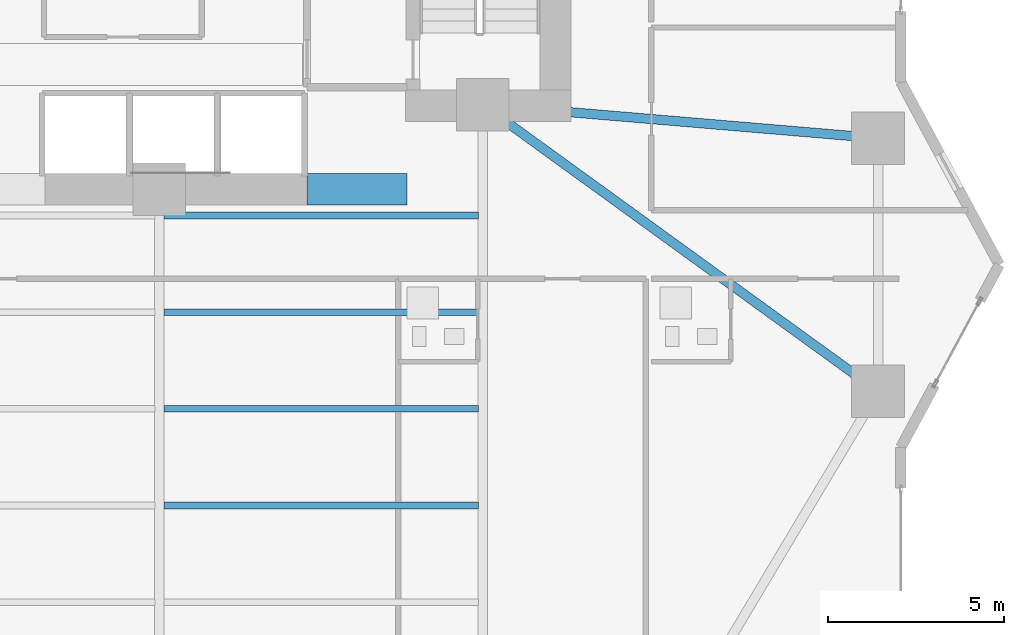
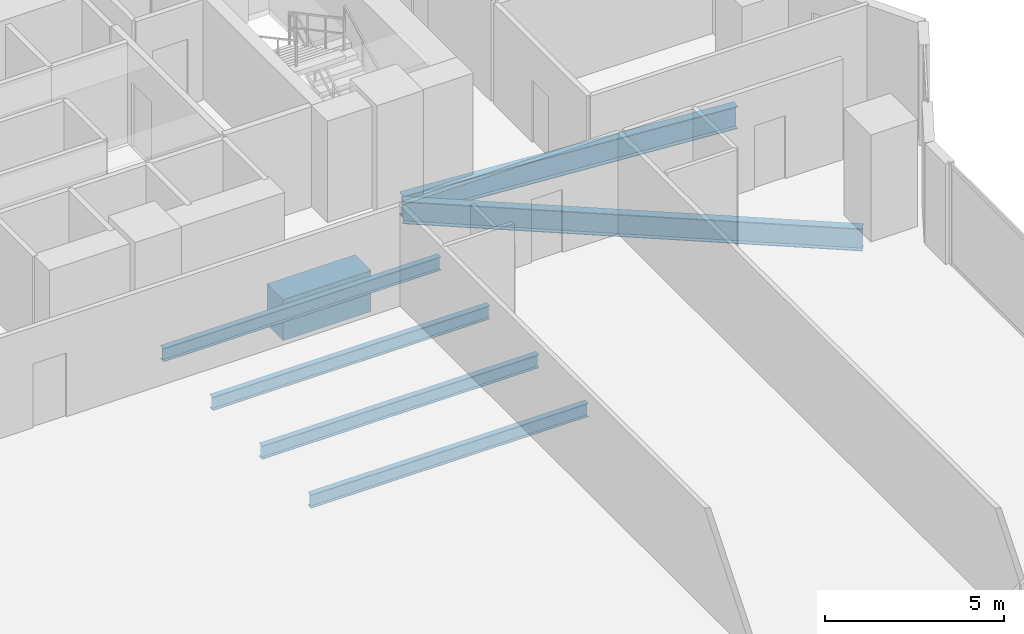
# One storey, part 11 of 28: 7 beams.
"""IFC4 building model written with IfcOpenShell, lengths in metres."""

from ifc_helpers import new_model, si_unit, direction, frame, origin, origin_2d, place, context, subcontext, project, spatial, rectangle, i_section, extrude, material, material_profile, profile_set, type_object, element, save


model = new_model("IFC4")

# Units and contexts
model_context = context("Model", 3, precision=1e-05, world=origin(), true_north=direction((0.0, 1.0)))
body_context = subcontext(model_context, "Body", "Model", "MODEL_VIEW")
ifc_project = project(units=[si_unit("LENGTHUNIT", "METRE"), si_unit("AREAUNIT", "SQUARE_METRE"), si_unit("VOLUMEUNIT", "CUBIC_METRE"), si_unit("PLANEANGLEUNIT", "RADIAN"), si_unit("MASSUNIT", "GRAM", prefix="KILO")], contexts=[model_context])

# Site, building, storey
site_placement = place(None, origin())
site = spatial("IfcSite", under=ifc_project, at=site_placement, CompositionType="ELEMENT")
building_placement = place(site_placement, origin())
building = spatial("IfcBuilding", under=site, at=building_placement, Name="Zuhayl Quay Hotel", CompositionType="ELEMENT")
storey_placement = place(building_placement, frame((0.0, 0.0, 78.699951171875)))
storey = spatial("IfcBuildingStorey", under=building, at=storey_placement, Name="L19", CompositionType="ELEMENT", Elevation=78.699951171875)

# Beams
ifc_material_1 = material(Name="Steel ASTM A992 Grade 50", Category="steel")
ifc_material_profile_1 = material_profile(ifc_material_1, i_section(OverallWidth=0.26708984375, OverallDepth=0.761962890625, WebThickness=0.014404296875, FlangeThickness=0.021484375, at=origin_2d()), Name="W30X116")
ifc_profile_set_1 = profile_set([ifc_material_profile_1], Name="Steel ASTM A992 Grade 50")
beam_type_1 = type_object("IfcBeamType", Name="BM_B1_W30X116", PredefinedType="BEAM", material=ifc_profile_set_1)
beam_1_placement = place(storey_placement, frame((14.164306640625, 4.285888671875, -0.600830078125), z_axis=(0.809830244688, -0.586664277751, 0.0), x_axis=(0.586664277751, 0.809830244688, 0.0)))
element("IfcBeam", 1, at=beam_1_placement, inside=storey, type_object=beam_type_1, Name="L19 Floor Beam FG_E_L19_1", PredefinedType="BEAM", context=body_context, shape_type="SweptSolid", body=[
    extrude(i_section(OverallWidth=0.26708984375, OverallDepth=0.761962890625, WebThickness=0.014404296875, FlangeThickness=0.021484375, at=origin_2d()), origin(), (0.0, 0.0, 1.0), 12.94189453125),
])
beam_2_placement = place(storey_placement, frame((14.248291015625, 4.51220703125, -0.600830078125), z_axis=(0.996453145398, -0.084149444594, 0.0), x_axis=(0.084149444594, 0.996453145398, 0.0)))
element("IfcBeam", 2, at=beam_2_placement, inside=storey, type_object=beam_type_1, Name="L19 Floor Beam FG_E_L19_2", PredefinedType="BEAM", context=body_context, shape_type="SweptSolid", body=[
    extrude(i_section(OverallWidth=0.26708984375, OverallDepth=0.761962890625, WebThickness=0.014404296875, FlangeThickness=0.021484375, at=origin_2d()), origin(), (0.0, 0.0, 1.0), 10.340087890625),
])
ifc_material_2 = material(Name="Concrete C60/75", Category="concrete")
ifc_material_profile_2 = material_profile(ifc_material_2, rectangle(XDim=0.89990234375, YDim=1.39990234375, at=origin_2d()), Name="RC900X1400")
ifc_profile_set_2 = profile_set([ifc_material_profile_2], Name="Concrete C60/75")
beam_type_2 = type_object("IfcBeamType", Name="BM_CB1_RC900", PredefinedType="T_BEAM", material=ifc_profile_set_2)
beam_3_placement = place(storey_placement, frame((8.800048828125, 2.14990234375, -0.919921875), z_axis=(1.0, 0.0, 0.0), x_axis=(0.0, 1.0, 0.0)))
element("IfcBeam", 3, at=beam_3_placement, inside=storey, type_object=beam_type_2, Name="L19 Core Coupling Beam SE", PredefinedType="T_BEAM", context=body_context, shape_type="SweptSolid", body=[
    extrude(rectangle(XDim=0.89990234375, YDim=1.39990234375, at=origin_2d()), origin(), (0.0, 0.0, 1.0), 2.849853515625),
])
ifc_material_profile_3 = material_profile(ifc_material_1, i_section(OverallWidth=0.18994140625, OverallDepth=0.45703125, WebThickness=0.009033203125, FlangeThickness=0.014404296875, at=origin_2d()), Name="W18X50")
ifc_profile_set_3 = profile_set([ifc_material_profile_3], Name="Steel ASTM A992 Grade 50")
beam_type_3 = type_object("IfcBeamType", Name="BM_J2_W18X50", PredefinedType="JOIST", material=ifc_profile_set_3)
for number, where, z_axis, x_axis, name in (
    (4, (4.7255859375, -6.85009765625, -0.448486328125), (1.0, 0.0, 0.0), (0.0, 1.0, 0.0), "L19 Floor Beam FJ_L19_7_3"),
    (5, (4.7255859375, -4.10009765625, -0.448486328125), (1.0, 0.0, 0.0), (0.0, 1.0, 0.0), "L19 Floor Beam FJ_L19_8_3"),
    (6, (4.7255859375, -1.35009765625, -0.448486328125), (1.0, 0.0, 0.0), (0.0, 1.0, 0.0), "L19 Floor Beam FJ_L19_9_3"),
    (7, (4.7255859375, 1.39990234375, -0.448486328125), (1.0, 0.0, 0.0), (0.0, 1.0, 0.0), "L19 Floor Beam FJ_L19_10_3"),
):
    element("IfcBeam", number, at=place(storey_placement, frame(where, z_axis=z_axis, x_axis=x_axis)), inside=storey, type_object=beam_type_3, Name=name, PredefinedType="JOIST", context=body_context, shape_type="SweptSolid", body=[
        extrude(i_section(OverallWidth=0.18994140625, OverallDepth=0.45703125, WebThickness=0.009033203125, FlangeThickness=0.014404296875, at=origin_2d()), origin(), (0.0, 0.0, 1.0), 8.948974609375),
    ])

save(model, "model.ifc")
